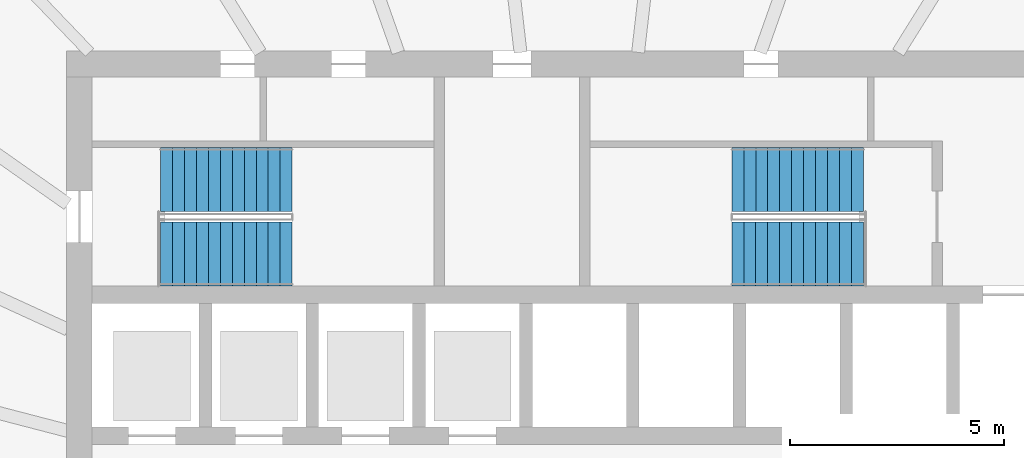
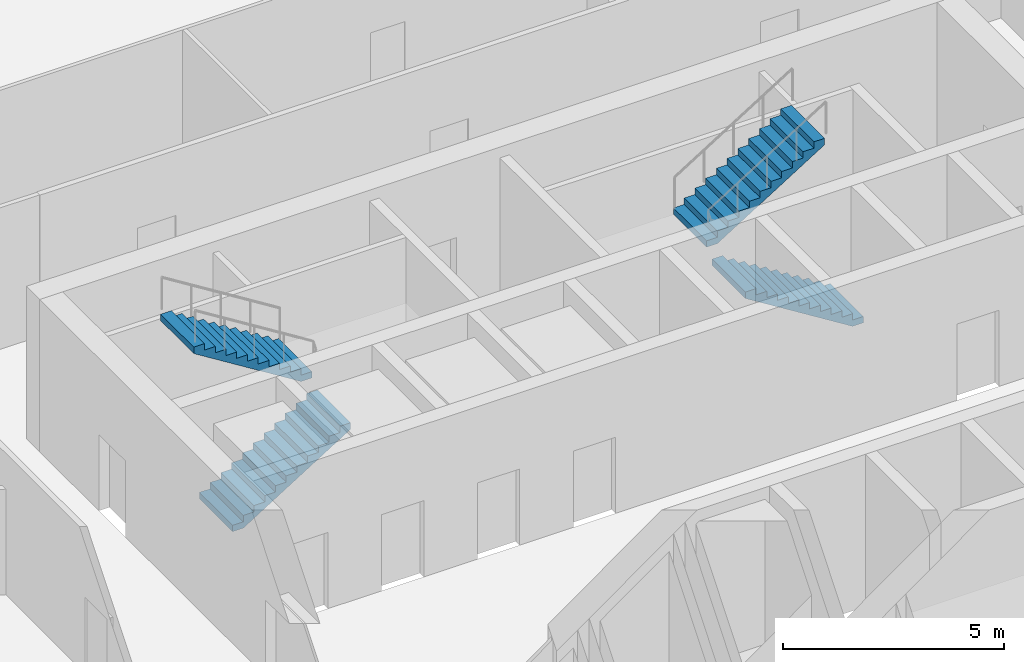
# One storey, part 9 of 12: 4 stair flights, 2 elements without a shape of their own.
"""IFC4 building model written with IfcOpenShell, lengths in metres."""

from ifc_helpers import new_model, si_unit, direction, frame, origin, place, context, subcontext, project, spatial, polyline, outline, extrude, material, type_object, element, aggregate, save


model = new_model("IFC4")

# Units and contexts
model_context = context("Model", 3, precision=1e-05, world=origin(), true_north=direction((0.0, 1.0)))
body_context = subcontext(model_context, "Body", "Model", "MODEL_VIEW")
ifc_project = project(units=[si_unit("LENGTHUNIT", "METRE"), si_unit("AREAUNIT", "SQUARE_METRE"), si_unit("VOLUMEUNIT", "CUBIC_METRE"), si_unit("PLANEANGLEUNIT", "RADIAN"), si_unit("MASSUNIT", "GRAM", prefix="KILO")], contexts=[model_context])

# Site, building, storey
site_placement = place(None, origin())
site = spatial("IfcSite", under=ifc_project, at=site_placement, CompositionType="ELEMENT")
building_placement = place(site_placement, origin())
building = spatial("IfcBuilding", under=site, at=building_placement, Name="Halqa Exchange Tower", CompositionType="ELEMENT")
storey_placement = place(building_placement, frame((0.0, 0.0, 27.699951171875)))
storey = spatial("IfcBuildingStorey", under=building, at=storey_placement, Name="L05", CompositionType="ELEMENT", Elevation=27.699951171875)

# Stair, stair flights
ifc_material = material(Name="Concrete C30/37", Category="concrete")
stair_type = type_object("IfcStairType", Name="Exit stair 1500 wide", PredefinedType="HALF_TURN_STAIR", material=ifc_material)
stair_1_placement = place(storey_placement, origin())
stair_1 = element("IfcStair", 1, at=stair_1_placement, inside=storey, type_object=stair_type, Name="Exit stair ST1", PredefinedType="HALF_TURN_STAIR")
stair_flight_type = type_object("IfcStairFlightType", Name="Stair flight 1500 wide", PredefinedType="STRAIGHT", material=ifc_material)
stair_flight_1_placement = place(storey_placement, frame((-9.800048828125, 7.25, 0.0), z_axis=(0.0, 0.0, 1.0), x_axis=(1.0, 0.0, 0.0)))
stair_flight_1 = element("IfcStairFlight", 2, at=stair_flight_1_placement, type_object=stair_flight_type, Name="ST1 flight 1", NumberOfRisers=12, NumberOfTreads=11, PredefinedType="STRAIGHT", RiserHeight=0.175, TreadLength=0.28, context=body_context, shape_type="SweptSolid", body=[
    extrude(outline(polyline([(0.0, 0.0), (0.0, 0.175048828125), (0.280029296875, 0.175048828125), (0.280029296875, 0.35009765625), (0.56005859375, 0.35009765625), (0.56005859375, 0.52490234375), (0.840087890625, 0.52490234375), (0.840087890625, 0.699951171875), (1.1201171875, 0.699951171875), (1.1201171875, 0.875), (1.39990234375, 0.875), (1.39990234375, 1.050048828125), (1.679931640625, 1.050048828125), (1.679931640625, 1.22509765625), (1.9599609375, 1.22509765625), (1.9599609375, 1.39990234375), (2.239990234375, 1.39990234375), (2.239990234375, 1.574951171875), (2.52001953125, 1.574951171875), (2.52001953125, 1.75), (2.800048828125, 1.75), (2.800048828125, 1.925048828125), (3.080078125, 1.925048828125), (3.080078125, 2.10009765625), (3.080078125, 1.748291015625), (0.28271484375, 0.0), (0.0, 0.0)])), frame((0.0, 0.75, 0.0), z_axis=(0.0, -1.0, 0.0), x_axis=(1.0, 0.0, 0.0)), (0.0, 0.0, 1.0), 1.5),
])
stair_flight_2_placement = place(storey_placement, frame((-6.719970703125, 9.0, 2.10009765625), z_axis=(0.0, 0.0, 1.0), x_axis=(-1.0, 0.0, 0.0)))
stair_flight_2 = element("IfcStairFlight", 3, at=stair_flight_2_placement, type_object=stair_flight_type, Name="ST1 flight 2", NumberOfRisers=12, NumberOfTreads=11, PredefinedType="STRAIGHT", RiserHeight=0.175, TreadLength=0.28, context=body_context, shape_type="SweptSolid", body=[
    extrude(outline(polyline([(0.0, 0.0), (0.0, 0.175048828125), (0.280029296875, 0.175048828125), (0.280029296875, 0.35009765625), (0.56005859375, 0.35009765625), (0.56005859375, 0.52490234375), (0.840087890625, 0.52490234375), (0.840087890625, 0.699951171875), (1.1201171875, 0.699951171875), (1.1201171875, 0.875), (1.39990234375, 0.875), (1.39990234375, 1.050048828125), (1.679931640625, 1.050048828125), (1.679931640625, 1.22509765625), (1.9599609375, 1.22509765625), (1.9599609375, 1.39990234375), (2.239990234375, 1.39990234375), (2.239990234375, 1.574951171875), (2.52001953125, 1.574951171875), (2.52001953125, 1.75), (2.800048828125, 1.75), (2.800048828125, 1.925048828125), (3.080078125, 1.925048828125), (3.080078125, 2.10009765625), (3.080078125, 1.748291015625), (0.28271484375, 0.0), (0.0, 0.0)])), frame((0.0, 0.75, 0.0), z_axis=(0.0, -1.0, 0.0), x_axis=(1.0, 0.0, 0.0)), (0.0, 0.0, 1.0), 1.5),
])
aggregate(stair_1, [stair_flight_1, stair_flight_2])

stair_2_placement = place(storey_placement, origin())
stair_2 = element("IfcStair", 4, at=stair_2_placement, inside=storey, type_object=stair_type, Name="Exit stair ST2", PredefinedType="HALF_TURN_STAIR")
stair_flight_3_placement = place(storey_placement, frame((6.64990234375, 7.25, 0.0), z_axis=(0.0, 0.0, 1.0), x_axis=(-1.0, 0.0, 0.0)))
stair_flight_3 = element("IfcStairFlight", 5, at=stair_flight_3_placement, type_object=stair_flight_type, Name="ST2 flight 1", NumberOfRisers=12, NumberOfTreads=11, PredefinedType="STRAIGHT", RiserHeight=0.175, TreadLength=0.28, context=body_context, shape_type="SweptSolid", body=[
    extrude(outline(polyline([(0.0, 0.0), (0.0, 0.175048828125), (0.280029296875, 0.175048828125), (0.280029296875, 0.35009765625), (0.56005859375, 0.35009765625), (0.56005859375, 0.52490234375), (0.840087890625, 0.52490234375), (0.840087890625, 0.699951171875), (1.1201171875, 0.699951171875), (1.1201171875, 0.875), (1.39990234375, 0.875), (1.39990234375, 1.050048828125), (1.679931640625, 1.050048828125), (1.679931640625, 1.22509765625), (1.9599609375, 1.22509765625), (1.9599609375, 1.39990234375), (2.239990234375, 1.39990234375), (2.239990234375, 1.574951171875), (2.52001953125, 1.574951171875), (2.52001953125, 1.75), (2.800048828125, 1.75), (2.800048828125, 1.925048828125), (3.080078125, 1.925048828125), (3.080078125, 2.10009765625), (3.080078125, 1.748291015625), (0.28271484375, 0.0), (0.0, 0.0)])), frame((0.0, 0.75, 0.0), z_axis=(0.0, -1.0, 0.0), x_axis=(1.0, 0.0, 0.0)), (0.0, 0.0, 1.0), 1.5),
])
stair_flight_4_placement = place(storey_placement, frame((3.570068359375, 9.0, 2.10009765625), z_axis=(0.0, 0.0, 1.0), x_axis=(1.0, 0.0, 0.0)))
stair_flight_4 = element("IfcStairFlight", 6, at=stair_flight_4_placement, type_object=stair_flight_type, Name="ST2 flight 2", NumberOfRisers=12, NumberOfTreads=11, PredefinedType="STRAIGHT", RiserHeight=0.175, TreadLength=0.28, context=body_context, shape_type="SweptSolid", body=[
    extrude(outline(polyline([(0.0, 0.0), (0.0, 0.175048828125), (0.280029296875, 0.175048828125), (0.280029296875, 0.35009765625), (0.56005859375, 0.35009765625), (0.56005859375, 0.52490234375), (0.840087890625, 0.52490234375), (0.840087890625, 0.699951171875), (1.1201171875, 0.699951171875), (1.1201171875, 0.875), (1.39990234375, 0.875), (1.39990234375, 1.050048828125), (1.679931640625, 1.050048828125), (1.679931640625, 1.22509765625), (1.9599609375, 1.22509765625), (1.9599609375, 1.39990234375), (2.239990234375, 1.39990234375), (2.239990234375, 1.574951171875), (2.52001953125, 1.574951171875), (2.52001953125, 1.75), (2.800048828125, 1.75), (2.800048828125, 1.925048828125), (3.080078125, 1.925048828125), (3.080078125, 2.10009765625), (3.080078125, 1.748291015625), (0.28271484375, 0.0), (0.0, 0.0)])), frame((0.0, 0.75, 0.0), z_axis=(0.0, -1.0, 0.0), x_axis=(1.0, 0.0, 0.0)), (0.0, 0.0, 1.0), 1.5),
])
aggregate(stair_2, [stair_flight_3, stair_flight_4])

save(model, "model.ifc")
